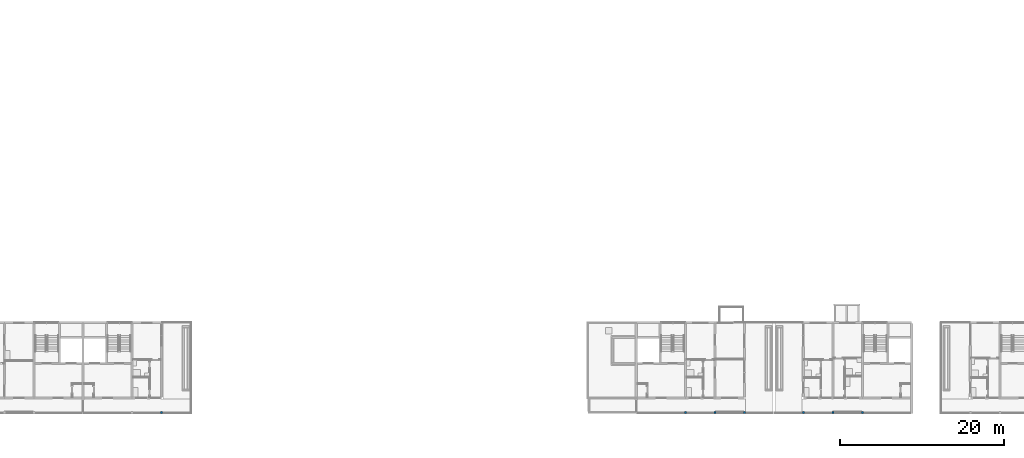
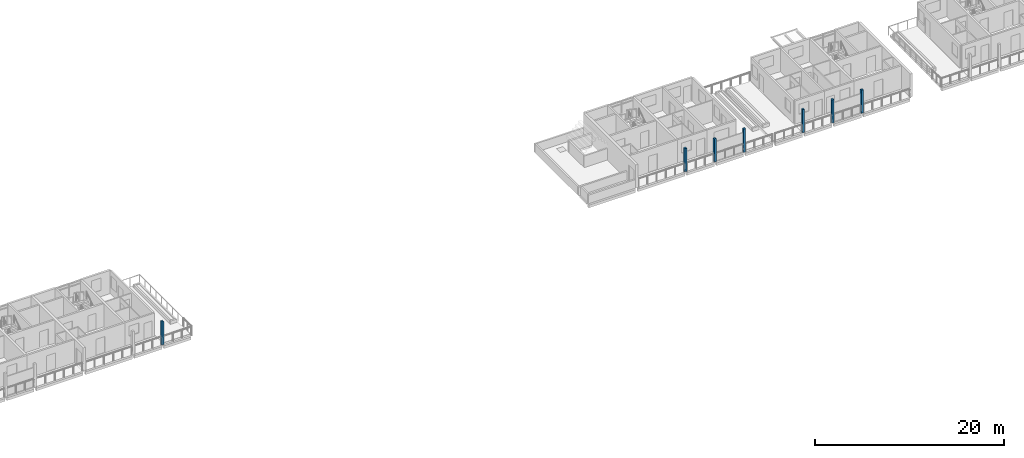
# One storey, part 2 of 55: 7 columns.
"""IFC4 building model written with IfcOpenShell, lengths in metres."""

from ifc_helpers import new_model, si_unit, direction, frame, origin, origin_2d, place, context, subcontext, project, spatial, rectangle, extrude, material, material_profile, profile_set, type_object, element, save


model = new_model("IFC4")

# Units and contexts
model_context = context("Model", 3, precision=1e-05, world=origin(), true_north=direction((0.0, 1.0)))
body_context = subcontext(model_context, "Body", "Model", "MODEL_VIEW")
ifc_project = project(units=[si_unit("LENGTHUNIT", "METRE"), si_unit("AREAUNIT", "SQUARE_METRE"), si_unit("VOLUMEUNIT", "CUBIC_METRE"), si_unit("PLANEANGLEUNIT", "RADIAN"), si_unit("MASSUNIT", "GRAM", prefix="KILO")], contexts=[model_context])

# Site, building, storey
site_placement = place(None, origin())
site = spatial("IfcSite", under=ifc_project, at=site_placement, CompositionType="ELEMENT")
building_placement = place(site_placement, origin())
building = spatial("IfcBuilding", under=site, at=building_placement, Name="Ridgestep Commons", CompositionType="ELEMENT")
storey_placement = place(building_placement, frame((0.0, 0.0, 36.0)))
storey = spatial("IfcBuildingStorey", under=building, at=storey_placement, Name="L12", CompositionType="ELEMENT", Elevation=36.0)

# Columns
ifc_material = material(Name="Precast concrete C40/50", Category="concrete")
ifc_material_profile = material_profile(ifc_material, rectangle(XDim=0.25, YDim=0.25, at=origin_2d()), Name="PC 250x250")
ifc_profile_set = profile_set([ifc_material_profile], Name="Precast concrete C40/50")
column_type = type_object("IfcColumnType", Name="Loggia column 250 x 250", PredefinedType="COLUMN", material=ifc_profile_set)
for number, where, z_axis, x_axis, name in (
    (1, (105.60009765625, 11.875, 0.0), (0.0, 0.0, 1.0), (1.0, 0.0, 0.0), "Loggia column A L12"),
    (2, (169.60009765625, 11.875, 0.0), (0.0, 0.0, 1.0), (1.0, 0.0, 0.0), "Loggia column D L12"),
    (3, (173.199951171875, 11.875, 0.0), (0.0, 0.0, 1.0), (1.0, 0.0, 0.0), "Loggia column D L12"),
    (4, (176.800048828125, 11.875, 0.0), (0.0, 0.0, 1.0), (1.0, 0.0, 0.0), "Loggia column D L12"),
    (5, (184.0, 11.875, 0.0), (0.0, 0.0, 1.0), (1.0, 0.0, 0.0), "Loggia column D L12"),
    (6, (187.60009765625, 11.875, 0.0), (0.0, 0.0, 1.0), (1.0, 0.0, 0.0), "Loggia column D L12"),
    (7, (191.199951171875, 11.875, 0.0), (0.0, 0.0, 1.0), (1.0, 0.0, 0.0), "Loggia column D L12"),
):
    element("IfcColumn", number, at=place(storey_placement, frame(where, z_axis=z_axis, x_axis=x_axis)), inside=storey, type_object=column_type, Name=name, PredefinedType="COLUMN", context=body_context, shape_type="SweptSolid", body=[
        extrude(rectangle(XDim=0.25, YDim=0.25, at=origin_2d()), origin(), (0.0, 0.0, 1.0), 3.0),
    ])

save(model, "model.ifc")
